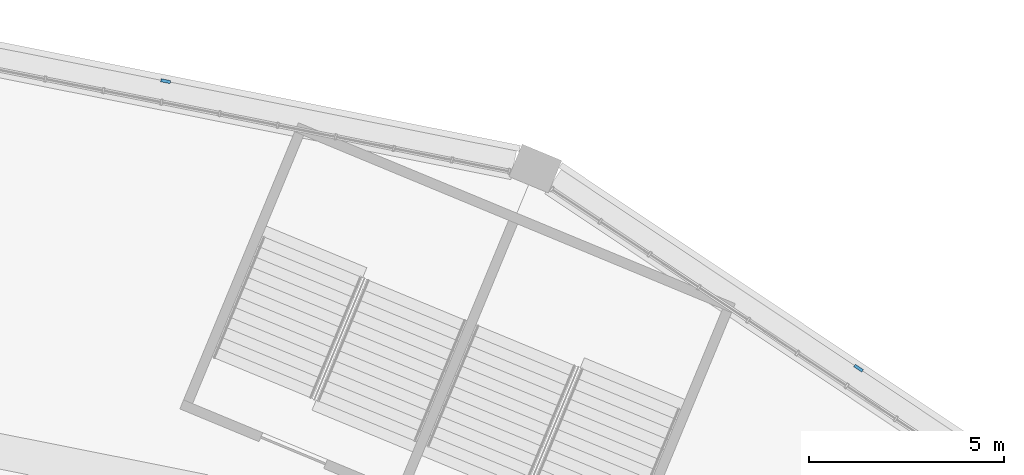
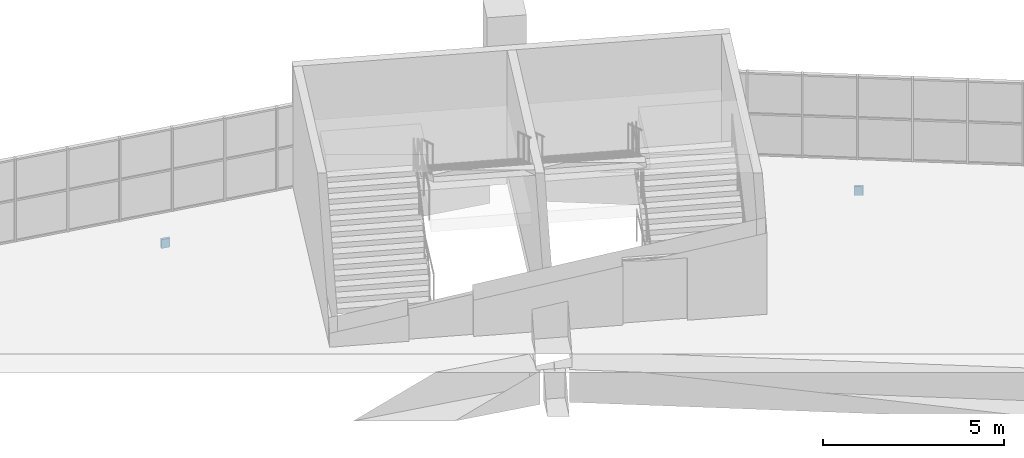
# One storey, part 102 of 199: 2 discrete accessories.
"""IFC4 building model written with IfcOpenShell, lengths in metres."""

from ifc_helpers import new_model, si_unit, direction, frame, origin, origin_2d, place, context, subcontext, project, spatial, rectangle, extrude, material, layer, layer_set, type_object, element, save


model = new_model("IFC4")

# Units and contexts
model_context = context("Model", 3, precision=1e-05, world=origin(), true_north=direction((0.0, 1.0)))
body_context = subcontext(model_context, "Body", "Model", "MODEL_VIEW")
ifc_project = project(units=[si_unit("LENGTHUNIT", "METRE"), si_unit("AREAUNIT", "SQUARE_METRE"), si_unit("VOLUMEUNIT", "CUBIC_METRE"), si_unit("PLANEANGLEUNIT", "RADIAN"), si_unit("MASSUNIT", "GRAM", prefix="KILO")], contexts=[model_context])

# Site, building, storey
site_placement = place(None, origin())
site = spatial("IfcSite", under=ifc_project, at=site_placement, CompositionType="ELEMENT")
building_placement = place(site_placement, origin())
building = spatial("IfcBuilding", under=site, at=building_placement, Name="Ogive Plaza Stadium", CompositionType="ELEMENT")
storey_placement = place(building_placement, frame((0.0, 0.0, 9.0)))
storey = spatial("IfcBuildingStorey", under=building, at=storey_placement, Name="L02", CompositionType="ELEMENT", Elevation=9.0)

# Discrete accessories
ifc_material = material(Name="Steel ASTM A572 Grade 50", Category="steel")
ifc_layer = layer(ifc_material, 0.080078125)
ifc_layer_set = layer_set([ifc_layer], Name="Steel ASTM A572 Grade 50")
discrete_accessory_type = type_object("IfcDiscreteAccessoryType", Name="Spandrel cladding bracket 250x300", PredefinedType="BRACKET", material=ifc_layer_set)
for number, where, z_axis, x_axis, name in (
    (1, (43.635498046875, 100.940185546875, -1.60986328125), (0.0, 0.0, 1.0), (0.980785280413, -0.195090321965, 0.0), "SPANDREL BRACKET B37 L02"),
    (2, (61.439208984375, 93.565673828125, -1.60986328125), (0.0, 0.0, 1.0), (0.831469612312, -0.555570233005, 0.0), "SPANDREL BRACKET B38 L02"),
):
    element("IfcDiscreteAccessory", number, at=place(storey_placement, frame(where, z_axis=z_axis, x_axis=x_axis)), inside=storey, type_object=discrete_accessory_type, Name=name, PredefinedType="BRACKET", context=body_context, shape_type="SweptSolid", body=[
        extrude(rectangle(XDim=0.25, YDim=0.080078125, at=origin_2d()), origin(), (0.0, 0.0, 1.0), 0.300048828125),
    ])

save(model, "model.ifc")
